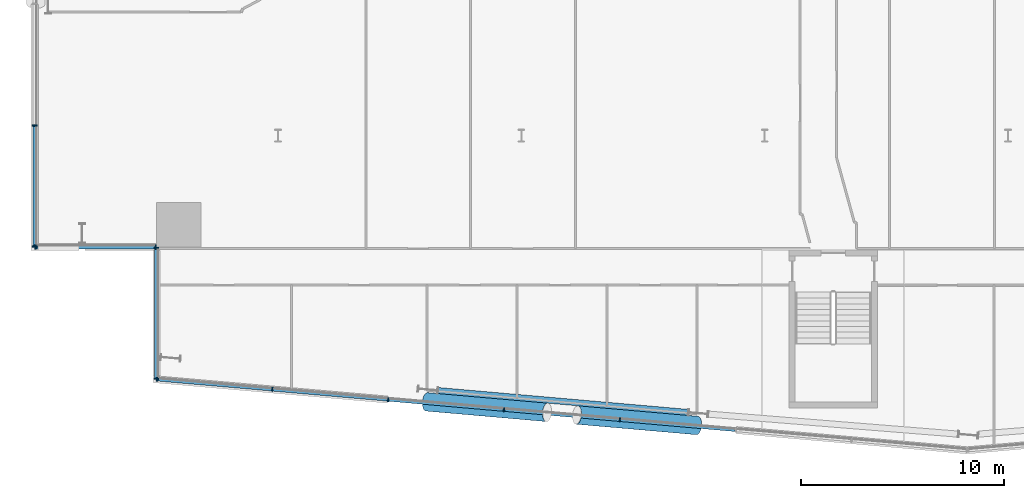
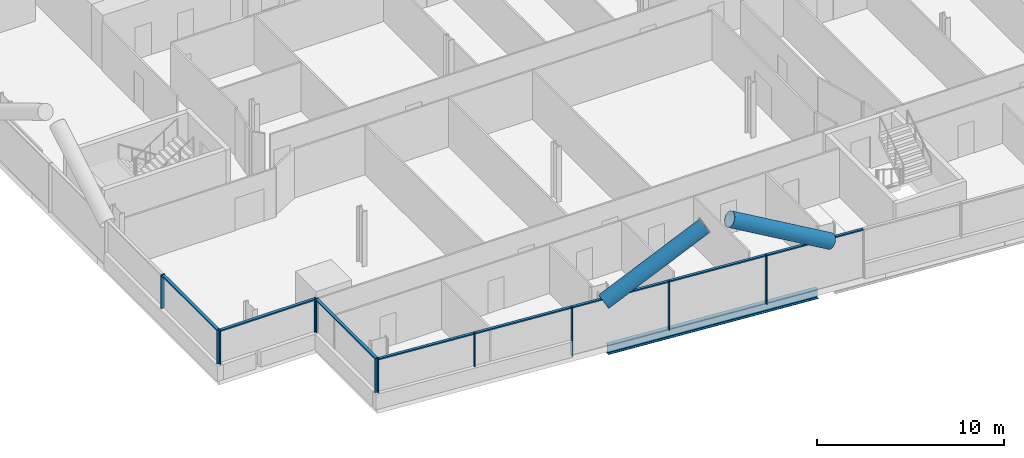
# One storey, part 4 of 28: 21 members, 1 beam, 4 elements without a shape of their own.
"""IFC4 building model written with IfcOpenShell, lengths in metres."""

from ifc_helpers import new_model, si_unit, direction, frame, origin, origin_2d, place, context, subcontext, project, spatial, rectangle, hollow_circle, i_section, extrude, material, material_profile, profile_set, type_object, element, aggregate, save


model = new_model("IFC4")

# Units and contexts
model_context = context("Model", 3, precision=1e-05, world=origin(), true_north=direction((0.0, 1.0)))
body_context = subcontext(model_context, "Body", "Model", "MODEL_VIEW")
ifc_project = project(units=[si_unit("LENGTHUNIT", "METRE"), si_unit("AREAUNIT", "SQUARE_METRE"), si_unit("VOLUMEUNIT", "CUBIC_METRE"), si_unit("PLANEANGLEUNIT", "RADIAN"), si_unit("MASSUNIT", "GRAM", prefix="KILO")], contexts=[model_context])

# Site, building, storey
site_placement = place(None, origin())
site = spatial("IfcSite", under=ifc_project, at=site_placement, CompositionType="ELEMENT")
building_placement = place(site_placement, origin())
building = spatial("IfcBuilding", under=site, at=building_placement, Name="Wharfspan Tower", CompositionType="ELEMENT")
storey_placement = place(building_placement, frame((0.0, 0.0, 52.300049)))
storey = spatial("IfcBuildingStorey", under=building, at=storey_placement, Name="L09", CompositionType="ELEMENT", Elevation=52.300049)

# Beam
ifc_material_1 = material(Name="Steel S355J2", Category="steel")
ifc_material_profile_1 = material_profile(ifc_material_1, i_section(OverallWidth=0.300049, OverallDepth=0.600098, WebThickness=0.015381, FlangeThickness=0.030029, FilletRadius=0.0271, at=origin_2d()))
ifc_profile_set_1 = profile_set([ifc_material_profile_1], Name="Steel S355J2")
beam_type = type_object("IfcBeamType", Name="Edge beam HEB 600", PredefinedType="SPANDREL", material=ifc_profile_set_1)
beam_placement = place(storey_placement, frame((19.888916, -1.077637, -0.699951), z_axis=(0.996195, -0.087154, 0.0), x_axis=(0.087154, 0.996195, 0.0)))
element("IfcBeam", 1, at=beam_placement, inside=storey, type_object=beam_type, Name="Edge beam S1 L09 PS1.2 to PS1.3", PredefinedType="SPANDREL", context=body_context, shape_type="SweptSolid", body=[
    extrude(i_section(OverallWidth=0.300049, OverallDepth=0.600098, WebThickness=0.015381, FlangeThickness=0.030029, FilletRadius=0.0271, at=origin_2d()), origin(), (0.0, 0.0, 1.0), 12.384277),
])

# Curtain wall, members
ifc_material_2 = material(Name="Aluminium 6063-T6", Category="aluminium")
curtain_wall_type_1 = type_object("IfcCurtainWallType", Name="CURTAIN WALL FACETED FRONT", PredefinedType="NOTDEFINED", material=ifc_material_2)
curtain_wall_1_placement = place(storey_placement, origin())
curtain_wall_1 = element("IfcCurtainWall", 2, at=curtain_wall_1_placement, inside=storey, type_object=curtain_wall_type_1, Name="Curtain wall S1", PredefinedType="NOTDEFINED")
ifc_material_profile_2 = material_profile(ifc_material_2, rectangle(XDim=0.199951, YDim=0.060059, at=origin_2d()))
ifc_profile_set_2 = profile_set([ifc_material_profile_2], Name="Aluminium 6063-T6")
member_type_1 = type_object("IfcMemberType", Name="MULLION FACETED FRONT 60x200", PredefinedType="MULLION", material=ifc_profile_set_2)
member_1_placement = place(storey_placement, frame((6.029785, -0.527588, 1.0), z_axis=(0.0, 0.0, 1.0), x_axis=(0.087156, 0.996197, 0.0)))
member_1 = element("IfcMember", 3, at=member_1_placement, type_object=member_type_1, Name="Curtain wall S1 mullion 1", PredefinedType="MULLION", context=body_context, shape_type="SweptSolid", body=[
    extrude(rectangle(XDim=0.199951, YDim=0.060059, at=origin_2d()), origin(), (0.0, 0.0, 1.0), 2.199951),
])
member_2_placement = place(storey_placement, frame((11.714355, -1.024902, 1.0), z_axis=(0.0, 0.0, 1.0), x_axis=(0.087156, 0.996197, 0.0)))
member_2 = element("IfcMember", 4, at=member_2_placement, type_object=member_type_1, Name="Curtain wall S1 mullion 2", PredefinedType="MULLION", context=body_context, shape_type="SweptSolid", body=[
    extrude(rectangle(XDim=0.199951, YDim=0.060059, at=origin_2d()), origin(), (0.0, 0.0, 1.0), 2.199951),
])
member_3_placement = place(storey_placement, frame((17.428467, -1.524902, 0.0), z_axis=(0.0, 0.0, 1.0), x_axis=(0.087156, 0.996197, 0.0)))
member_3 = element("IfcMember", 5, at=member_3_placement, type_object=member_type_1, Name="Curtain wall S1 mullion 3", PredefinedType="MULLION", context=body_context, shape_type="SweptSolid", body=[
    extrude(rectangle(XDim=0.199951, YDim=0.060059, at=origin_2d()), origin(), (0.0, 0.0, 1.0), 3.199951),
])
member_4_placement = place(storey_placement, frame((23.142822, -2.024658, 0.0), z_axis=(0.0, 0.0, 1.0), x_axis=(0.087156, 0.996197, 0.0)))
member_4 = element("IfcMember", 6, at=member_4_placement, type_object=member_type_1, Name="Curtain wall S1 mullion 4", PredefinedType="MULLION", context=body_context, shape_type="SweptSolid", body=[
    extrude(rectangle(XDim=0.199951, YDim=0.060059, at=origin_2d()), origin(), (0.0, 0.0, 1.0), 3.199951),
])
member_5_placement = place(storey_placement, frame((28.857178, -2.524658, 0.0), z_axis=(0.0, 0.0, 1.0), x_axis=(0.087156, 0.996197, 0.0)))
member_5 = element("IfcMember", 7, at=member_5_placement, type_object=member_type_1, Name="Curtain wall S1 mullion 5", PredefinedType="MULLION", context=body_context, shape_type="SweptSolid", body=[
    extrude(rectangle(XDim=0.199951, YDim=0.060059, at=origin_2d()), origin(), (0.0, 0.0, 1.0), 3.199951),
])

curtain_wall_type_2 = type_object("IfcCurtainWallType", Name="CURTAIN WALL PROW AND END", PredefinedType="NOTDEFINED", material=ifc_material_2)
curtain_wall_2_placement = place(storey_placement, origin())
curtain_wall_2 = element("IfcCurtainWall", 8, at=curtain_wall_2_placement, inside=storey, type_object=curtain_wall_type_2, Name="Curtain wall W", PredefinedType="NOTDEFINED")
ifc_material_profile_3 = material_profile(ifc_material_2, rectangle(XDim=0.23999, YDim=0.060059, at=origin_2d()))
ifc_profile_set_3 = profile_set([ifc_material_profile_3], Name="Aluminium 6063-T6")
member_type_2 = type_object("IfcMemberType", Name="MULLION PROW AND END 60x240", PredefinedType="MULLION", material=ifc_profile_set_3)
member_6_placement = place(storey_placement, frame((0.0, 12.0, 1.0), z_axis=(0.0, 0.0, 1.0), x_axis=(1.0, 0.0, 0.0)))
member_6 = element("IfcMember", 9, at=member_6_placement, type_object=member_type_2, Name="Curtain wall W mullion 6", PredefinedType="MULLION", context=body_context, shape_type="SweptSolid", body=[
    extrude(rectangle(XDim=0.23999, YDim=0.060059, at=origin_2d()), origin(), (0.0, 0.0, 1.0), 2.199951),
])
member_7_placement = place(storey_placement, frame((0.0, 6.030029, 1.0), z_axis=(0.0, 0.0, 1.0), x_axis=(1.0, 0.0, 0.0)))
member_7 = element("IfcMember", 10, at=member_7_placement, type_object=member_type_2, Name="Curtain wall W mullion 7", PredefinedType="MULLION", context=body_context, shape_type="SweptSolid", body=[
    extrude(rectangle(XDim=0.23999, YDim=0.060059, at=origin_2d()), origin(), (0.0, 0.0, 1.0), 2.199951),
])

curtain_wall_3_placement = place(storey_placement, origin())
curtain_wall_3 = element("IfcCurtainWall", 11, at=curtain_wall_3_placement, inside=storey, type_object=curtain_wall_type_2, Name="Curtain wall NFW-H", PredefinedType="NOTDEFINED")
member_8_placement = place(storey_placement, frame((0.030029, 6.0, 1.0), z_axis=(0.0, 0.0, 1.0), x_axis=(0.0, 1.0, 0.0)))
member_8 = element("IfcMember", 12, at=member_8_placement, type_object=member_type_2, Name="Curtain wall NFW-H mullion 1", PredefinedType="MULLION", context=body_context, shape_type="SweptSolid", body=[
    extrude(rectangle(XDim=0.23999, YDim=0.060059, at=origin_2d()), origin(), (0.0, 0.0, 1.0), 2.199951),
])
member_9_placement = place(storey_placement, frame((5.969971, 6.0, 1.0), z_axis=(0.0, 0.0, 1.0), x_axis=(0.0, 1.0, 0.0)))
member_9 = element("IfcMember", 13, at=member_9_placement, type_object=member_type_2, Name="Curtain wall NFW-H mullion 2", PredefinedType="MULLION", context=body_context, shape_type="SweptSolid", body=[
    extrude(rectangle(XDim=0.23999, YDim=0.060059, at=origin_2d()), origin(), (0.0, 0.0, 1.0), 2.199951),
])

curtain_wall_4_placement = place(storey_placement, origin())
curtain_wall_4 = element("IfcCurtainWall", 14, at=curtain_wall_4_placement, inside=storey, type_object=curtain_wall_type_2, Name="Curtain wall NFW-V", PredefinedType="NOTDEFINED")
member_10_placement = place(storey_placement, frame((6.0, 5.969971, 1.0), z_axis=(0.0, 0.0, 1.0), x_axis=(1.0, 0.0, 0.0)))
member_10 = element("IfcMember", 15, at=member_10_placement, type_object=member_type_2, Name="Curtain wall NFW-V mullion 1", PredefinedType="MULLION", context=body_context, shape_type="SweptSolid", body=[
    extrude(rectangle(XDim=0.23999, YDim=0.060059, at=origin_2d()), origin(), (0.0, 0.0, 1.0), 2.199951),
])
member_11_placement = place(storey_placement, frame((6.0, -0.494873, 1.0), z_axis=(0.0, 0.0, 1.0), x_axis=(1.0, 0.0, 0.0)))
member_11 = element("IfcMember", 16, at=member_11_placement, type_object=member_type_2, Name="Curtain wall NFW-V mullion 2", PredefinedType="MULLION", context=body_context, shape_type="SweptSolid", body=[
    extrude(rectangle(XDim=0.23999, YDim=0.060059, at=origin_2d()), origin(), (0.0, 0.0, 1.0), 2.199951),
])

# Members
ifc_material_3 = material(Name="Steel S460NH", Category="steel")
ifc_material_profile_4 = material_profile(ifc_material_3, hollow_circle(Radius=0.457031, WallThickness=0.040039, at=origin_2d()))
ifc_profile_set_4 = profile_set([ifc_material_profile_4], Name="Steel S460NH")
member_type_3 = type_object("IfcMemberType", Name="Mega brace CHS 914x40", PredefinedType="BRACE", material=ifc_profile_set_4)
for number, where, z_axis, x_axis, name in (
    (17, (19.338135, -1.636719, 2.899902), (0.877299, -0.076744, 0.473768), (0.087145, 0.996198, 0.0), "Mega brace S1 L10 part 1"),
    (18, (32.671387, -2.803223, 2.899902), (-0.877299, 0.076744, 0.473768), (-0.087145, -0.996198, 0.0), "Mega brace S1 L10 part 3"),
):
    element("IfcMember", number, at=place(storey_placement, frame(where, z_axis=z_axis, x_axis=x_axis)), inside=storey, type_object=member_type_3, Name=name, PredefinedType="BRACE", context=body_context, shape_type="SweptSolid", body=[
        extrude(hollow_circle(Radius=0.457031, WallThickness=0.040039, at=origin_2d()), origin(), (0.0, 0.0, 1.0), 6.753662),
    ])

# Member
ifc_material_profile_5 = material_profile(ifc_material_2, rectangle(XDim=0.159912, YDim=0.080078, at=origin_2d()))
ifc_profile_set_5 = profile_set([ifc_material_profile_5], Name="Aluminium 6063-T6")
member_type_4 = type_object("IfcMemberType", Name="TRANSOM FACETED FRONT 80x160", PredefinedType="USERDEFINED", material=ifc_profile_set_5)
member_12_placement = place(storey_placement, frame((6.059814, -0.530273, 3.159912), z_axis=(0.996197, -0.087132, 0.0), x_axis=(0.087132, 0.996197, 0.0)))
member_12 = element("IfcMember", 19, at=member_12_placement, type_object=member_type_4, Name="Curtain wall S1 transom 1", ObjectType="TRANSOM", PredefinedType="USERDEFINED", context=body_context, shape_type="SweptSolid", body=[
    extrude(rectangle(XDim=0.159912, YDim=0.080078, at=origin_2d()), origin(), (0.0, 0.0, 1.0), 5.645996),
])

member_13_placement = place(storey_placement, frame((11.744141, -1.027588, 3.159912), z_axis=(0.996196, -0.087142, 0.0), x_axis=(0.087142, 0.996196, 0.0)))
member_13 = element("IfcMember", 20, at=member_13_placement, type_object=member_type_4, Name="Curtain wall S1 transom 2", ObjectType="TRANSOM", PredefinedType="USERDEFINED", context=body_context, shape_type="SweptSolid", body=[
    extrude(rectangle(XDim=0.159912, YDim=0.080078, at=origin_2d()), origin(), (0.0, 0.0, 1.0), 5.676025),
])

member_14_placement = place(storey_placement, frame((17.458496, -1.527344, 3.159912), z_axis=(0.996192, -0.087185, 0.0), x_axis=(0.087185, 0.996192, 0.0)))
member_14 = element("IfcMember", 21, at=member_14_placement, type_object=member_type_4, Name="Curtain wall S1 transom 3", ObjectType="TRANSOM", PredefinedType="USERDEFINED", context=body_context, shape_type="SweptSolid", body=[
    extrude(rectangle(XDim=0.159912, YDim=0.080078, at=origin_2d()), origin(), (0.0, 0.0, 1.0), 5.67627),
])

member_15_placement = place(storey_placement, frame((23.172852, -2.027344, 3.159912), z_axis=(0.996196, -0.087146, 0.0), x_axis=(0.087146, 0.996196, 0.0)))
member_15 = element("IfcMember", 22, at=member_15_placement, type_object=member_type_4, Name="Curtain wall S1 transom 4", ObjectType="TRANSOM", PredefinedType="USERDEFINED", context=body_context, shape_type="SweptSolid", body=[
    extrude(rectangle(XDim=0.159912, YDim=0.080078, at=origin_2d()), origin(), (0.0, 0.0, 1.0), 5.675781),
])

member_16_placement = place(storey_placement, frame((28.886963, -2.527344, 3.159912), z_axis=(0.996196, -0.087142, 0.0), x_axis=(0.087142, 0.996196, 0.0)))
member_16 = element("IfcMember", 23, at=member_16_placement, type_object=member_type_4, Name="Curtain wall S1 transom 5", ObjectType="TRANSOM", PredefinedType="USERDEFINED", context=body_context, shape_type="SweptSolid", body=[
    extrude(rectangle(XDim=0.159912, YDim=0.080078, at=origin_2d()), origin(), (0.0, 0.0, 1.0), 5.676025),
])

aggregate(curtain_wall_1, [member_1, member_2, member_3, member_4, member_5, member_12, member_13, member_14, member_15, member_16])

ifc_material_profile_6 = material_profile(ifc_material_2, rectangle(XDim=0.179932, YDim=0.080078, at=origin_2d()))
ifc_profile_set_6 = profile_set([ifc_material_profile_6], Name="Aluminium 6063-T6")
member_type_5 = type_object("IfcMemberType", Name="TRANSOM PROW AND END 80x180", PredefinedType="USERDEFINED", material=ifc_profile_set_6)
member_17_placement = place(storey_placement, frame((0.0, 11.969971, 3.159912), z_axis=(0.0, -1.0, 0.0), x_axis=(1.0, 0.0, 0.0)))
member_17 = element("IfcMember", 24, at=member_17_placement, type_object=member_type_5, Name="Curtain wall W transom 6", ObjectType="TRANSOM", PredefinedType="USERDEFINED", context=body_context, shape_type="SweptSolid", body=[
    extrude(rectangle(XDim=0.179932, YDim=0.080078, at=origin_2d()), origin(), (0.0, 0.0, 1.0), 5.909912),
])

aggregate(curtain_wall_2, [member_6, member_7, member_17])

member_18_placement = place(storey_placement, frame((0.060059, 6.0, 3.159912), z_axis=(1.0, 0.0, 0.0), x_axis=(0.0, 1.0, 0.0)))
member_18 = element("IfcMember", 25, at=member_18_placement, type_object=member_type_5, Name="Curtain wall NFW-H transom 1", ObjectType="TRANSOM", PredefinedType="USERDEFINED", context=body_context, shape_type="SweptSolid", body=[
    extrude(rectangle(XDim=0.179932, YDim=0.080078, at=origin_2d()), origin(), (0.0, 0.0, 1.0), 5.879883),
])

aggregate(curtain_wall_3, [member_8, member_9, member_18])

member_19_placement = place(storey_placement, frame((6.0, 5.939941, 3.159912), z_axis=(0.0, -1.0, 0.0), x_axis=(1.0, 0.0, 0.0)))
member_19 = element("IfcMember", 26, at=member_19_placement, type_object=member_type_5, Name="Curtain wall NFW-V transom 1", ObjectType="TRANSOM", PredefinedType="USERDEFINED", context=body_context, shape_type="SweptSolid", body=[
    extrude(rectangle(XDim=0.179932, YDim=0.080078, at=origin_2d()), origin(), (0.0, 0.0, 1.0), 6.404785),
])

aggregate(curtain_wall_4, [member_10, member_11, member_19])

save(model, "model.ifc")
